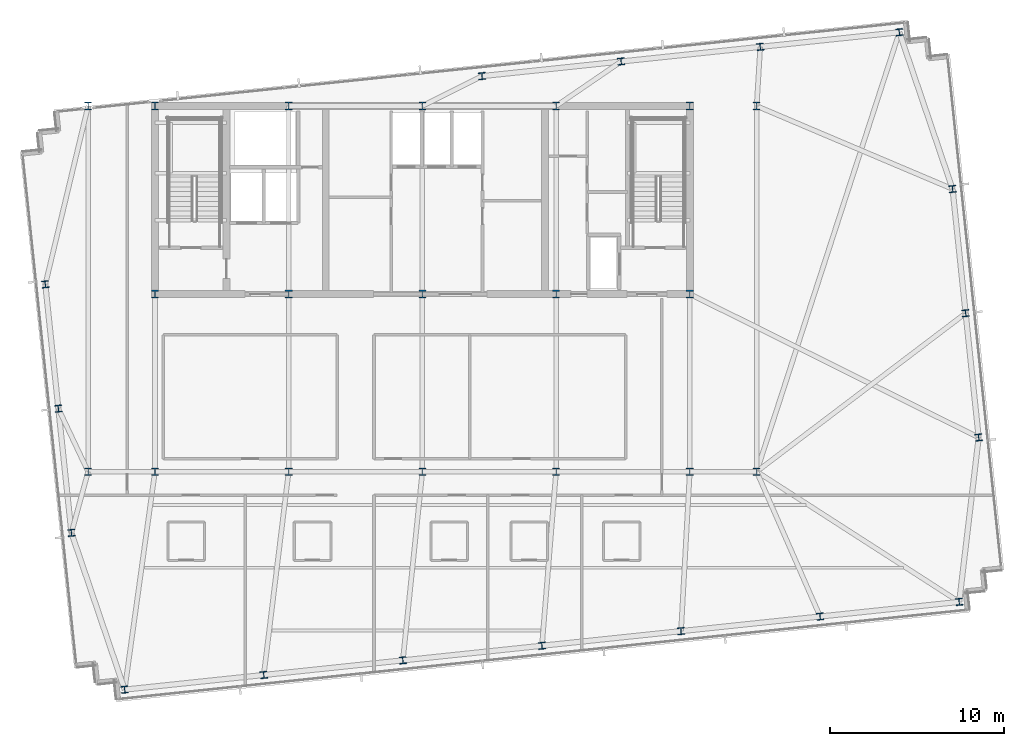
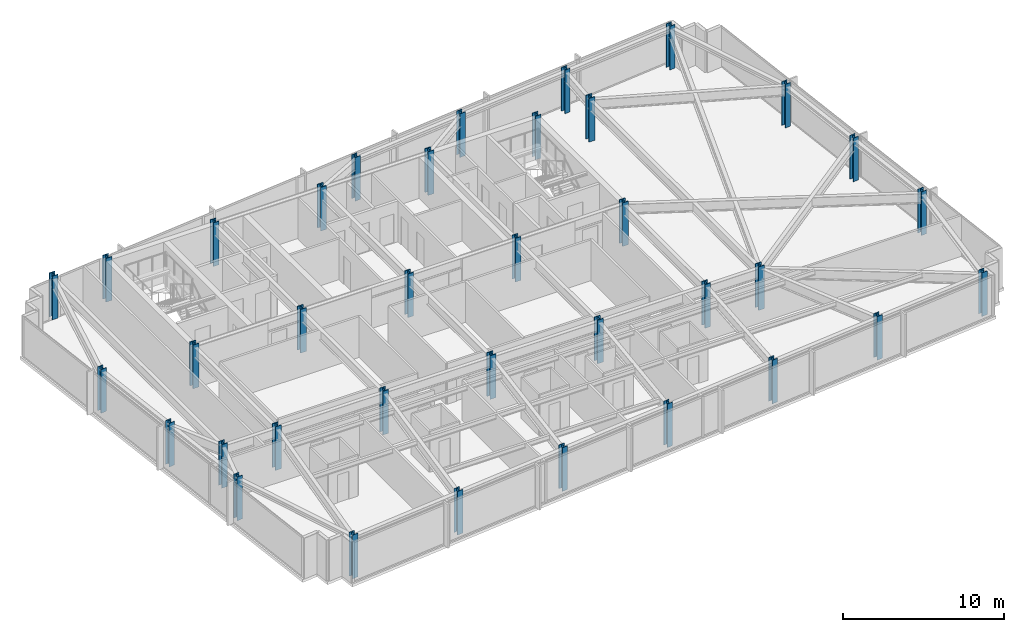
# One storey, part 1 of 33: 36 columns.
"""IFC4 building model written with IfcOpenShell, lengths in metres."""

from ifc_helpers import new_model, si_unit, direction, frame, origin, origin_2d, place, context, subcontext, project, spatial, i_section, extrude, material, material_profile, profile_set, type_object, element, save


model = new_model("IFC4")

# Units and contexts
model_context = context("Model", 3, precision=1e-05, world=origin(), true_north=direction((0.0, 1.0)))
body_context = subcontext(model_context, "Body", "Model", "MODEL_VIEW")
ifc_project = project(units=[si_unit("LENGTHUNIT", "METRE"), si_unit("AREAUNIT", "SQUARE_METRE"), si_unit("VOLUMEUNIT", "CUBIC_METRE"), si_unit("PLANEANGLEUNIT", "RADIAN"), si_unit("MASSUNIT", "GRAM", prefix="KILO")], contexts=[model_context])

# Site, building, storey
site_placement = place(None, origin())
site = spatial("IfcSite", under=ifc_project, at=site_placement, CompositionType="ELEMENT")
building_placement = place(site_placement, origin())
building = spatial("IfcBuilding", under=site, at=building_placement, Name="Yelkora Congress Tower", CompositionType="ELEMENT")
storey_placement = place(building_placement, frame((0.0, 0.0, 224.300048828125)))
storey = spatial("IfcBuildingStorey", under=building, at=storey_placement, Name="L62", CompositionType="ELEMENT", Elevation=224.300048828125)

# Columns
ifc_material_1 = material(Name="Steel S355J2", Category="steel")
ifc_material_profile_1 = material_profile(ifc_material_1, i_section(OverallWidth=0.40087890625, OverallDepth=0.39892578125, WebThickness=0.02490234375, FlangeThickness=0.03955078125, FilletRadius=0.014892578125, at=origin_2d()), Name="HD 400x314")
ifc_profile_set_1 = profile_set([ifc_material_profile_1], Name="Steel S355J2")
column_type_1 = type_object("IfcColumnType", Name="COL-HD-314-EXT", PredefinedType="COLUMN", material=ifc_profile_set_1)
for number, where, z_axis, x_axis, name in (
    (1, (21.299072265625, 12.678466796875, 0.0), (0.0, 0.0, 1.0), (0.994521895368, 0.104528463268, 0.0), "L62 Perimeter Column S01"),
    (2, (29.288330078125, 13.518310546875, 0.0), (0.0, 0.0, 1.0), (0.994521895368, 0.104528463268, 0.0), "L62 Perimeter Column S02"),
    (3, (37.277587890625, 14.35791015625, 0.0), (0.0, 0.0, 1.0), (0.994521895368, 0.104528463268, 0.0), "L62 Perimeter Column S03"),
    (4, (45.26708984375, 15.197509765625, 0.0), (0.0, 0.0, 1.0), (0.994521895368, 0.104528463268, 0.0), "L62 Perimeter Column S04"),
    (5, (53.25634765625, 16.037353515625, 0.0), (0.0, 0.0, 1.0), (0.994521895368, 0.104528463268, 0.0), "L62 Perimeter Column S05"),
    (6, (61.24560546875, 16.877197265625, 0.0), (0.0, 0.0, 1.0), (0.994521895368, 0.104528463268, 0.0), "L62 Perimeter Column S06"),
    (7, (69.235107421875, 17.716796875, 0.0), (0.0, 0.0, 1.0), (0.994521895368, 0.104528463268, 0.0), "L62 Perimeter Column S07"),
    (8, (41.828125, 47.91748046875, 0.0), (0.0, 0.0, 1.0), (0.994521895368, 0.104528463268, 0.0), "L62 Perimeter Column N04"),
    (9, (49.8173828125, 48.757080078125, 0.0), (0.0, 0.0, 1.0), (0.994521895368, 0.104528463268, 0.0), "L62 Perimeter Column N05"),
    (10, (57.806640625, 49.5966796875, 0.0), (0.0, 0.0, 1.0), (0.994521895368, 0.104528463268, 0.0), "L62 Perimeter Column N06"),
    (11, (65.7958984375, 50.4365234375, 0.0), (0.0, 0.0, 1.0), (0.994521895368, 0.104528463268, 0.0), "L62 Perimeter Column N07"),
    (12, (18.2412109375, 21.68310546875, 0.0), (0.0, 0.0, 1.0), (0.994521895368, 0.104528463268, 0.0), "L62 Perimeter Column W01"),
    (13, (70.35400390625, 27.160400390625, 0.0), (0.0, 0.0, 1.0), (0.994521895368, 0.104528463268, 0.0), "L62 Perimeter Column E01"),
    (14, (17.4912109375, 28.81884765625, 0.0), (0.0, 0.0, 1.0), (0.994521895368, 0.104528463268, 0.0), "L62 Perimeter Column W02"),
    (15, (69.60400390625, 34.296142578125, 0.0), (0.0, 0.0, 1.0), (0.994521895368, 0.104528463268, 0.0), "L62 Perimeter Column E02"),
    (16, (16.7412109375, 35.95458984375, 0.0), (0.0, 0.0, 1.0), (0.994521895368, 0.104528463268, 0.0), "L62 Perimeter Column W03"),
    (17, (68.85400390625, 41.431884765625, 0.0), (0.0, 0.0, 1.0), (0.994521895368, 0.104528463268, 0.0), "L62 Perimeter Column E03"),
):
    element("IfcColumn", number, at=place(storey_placement, frame(where, z_axis=z_axis, x_axis=x_axis)), inside=storey, type_object=column_type_1, Name=name, PredefinedType="COLUMN", context=body_context, shape_type="SweptSolid", body=[
        extrude(i_section(OverallWidth=0.40087890625, OverallDepth=0.39892578125, WebThickness=0.02490234375, FlangeThickness=0.03955078125, FilletRadius=0.014892578125, at=origin_2d()), origin(), (0.0, 0.0, 1.0), 3.300048828125),
    ])
ifc_material_2 = material(Name="Steel S460M", Category="steel")
ifc_material_profile_2 = material_profile(ifc_material_2, i_section(OverallWidth=0.412109375, OverallDepth=0.43505859375, WebThickness=0.035888671875, FlangeThickness=0.05810546875, FilletRadius=0.014892578125, at=origin_2d()), Name="HD 400x463")
ifc_profile_set_2 = profile_set([ifc_material_profile_2], Name="Steel S460M")
column_type_2 = type_object("IfcColumnType", Name="COL-HD-463", PredefinedType="COLUMN", material=ifc_profile_set_2)
for number, where, z_axis, x_axis, name in (
    (18, (23.0400390625, 35.39990234375, 0.0), (0.0, 0.0, 1.0), (1.0, 0.0, 0.0), "L62 Mega Column MC-S1"),
    (19, (23.0400390625, 46.199951171875, 0.0), (0.0, 0.0, 1.0), (1.0, 0.0, 0.0), "L62 Mega Column MC-N1"),
    (20, (23.0400390625, 25.199951171875, 0.0), (0.0, 0.0, 1.0), (1.0, 0.0, 0.0), "L62 Mega Column MC-D1"),
    (21, (30.719970703125, 35.39990234375, 0.0), (0.0, 0.0, 1.0), (1.0, 0.0, 0.0), "L62 Mega Column MC-S2"),
    (22, (30.719970703125, 46.199951171875, 0.0), (0.0, 0.0, 1.0), (1.0, 0.0, 0.0), "L62 Mega Column MC-N2"),
    (23, (30.719970703125, 25.199951171875, 0.0), (0.0, 0.0, 1.0), (1.0, 0.0, 0.0), "L62 Mega Column MC-D2"),
    (24, (38.39990234375, 35.39990234375, 0.0), (0.0, 0.0, 1.0), (1.0, 0.0, 0.0), "L62 Mega Column MC-S3"),
    (25, (38.39990234375, 46.199951171875, 0.0), (0.0, 0.0, 1.0), (1.0, 0.0, 0.0), "L62 Mega Column MC-N3"),
    (26, (38.39990234375, 25.199951171875, 0.0), (0.0, 0.0, 1.0), (1.0, 0.0, 0.0), "L62 Mega Column MC-D3"),
    (27, (46.080078125, 35.39990234375, 0.0), (0.0, 0.0, 1.0), (1.0, 0.0, 0.0), "L62 Mega Column MC-S4"),
    (28, (46.080078125, 46.199951171875, 0.0), (0.0, 0.0, 1.0), (1.0, 0.0, 0.0), "L62 Mega Column MC-N4"),
    (29, (46.080078125, 25.199951171875, 0.0), (0.0, 0.0, 1.0), (1.0, 0.0, 0.0), "L62 Mega Column MC-D4"),
    (30, (53.760009765625, 35.39990234375, 0.0), (0.0, 0.0, 1.0), (1.0, 0.0, 0.0), "L62 Mega Column MC-S5"),
    (31, (53.760009765625, 46.199951171875, 0.0), (0.0, 0.0, 1.0), (1.0, 0.0, 0.0), "L62 Mega Column MC-N5"),
    (32, (53.760009765625, 25.199951171875, 0.0), (0.0, 0.0, 1.0), (1.0, 0.0, 0.0), "L62 Mega Column MC-D5"),
    (33, (19.199951171875, 25.199951171875, 0.0), (0.0, 0.0, 1.0), (1.0, 0.0, 0.0), "L62 Mega Column MC-F1"),
    (34, (57.60009765625, 25.199951171875, 0.0), (0.0, 0.0, 1.0), (1.0, 0.0, 0.0), "L62 Mega Column MC-F2"),
    (35, (19.199951171875, 46.199951171875, 0.0), (0.0, 0.0, 1.0), (1.0, 0.0, 0.0), "L62 Mega Column MC-F3"),
    (36, (57.60009765625, 46.199951171875, 0.0), (0.0, 0.0, 1.0), (1.0, 0.0, 0.0), "L62 Mega Column MC-F4"),
):
    element("IfcColumn", number, at=place(storey_placement, frame(where, z_axis=z_axis, x_axis=x_axis)), inside=storey, type_object=column_type_2, Name=name, PredefinedType="COLUMN", context=body_context, shape_type="SweptSolid", body=[
        extrude(i_section(OverallWidth=0.412109375, OverallDepth=0.43505859375, WebThickness=0.035888671875, FlangeThickness=0.05810546875, FilletRadius=0.014892578125, at=origin_2d()), origin(), (0.0, 0.0, 1.0), 3.300048828125),
    ])

save(model, "model.ifc")
